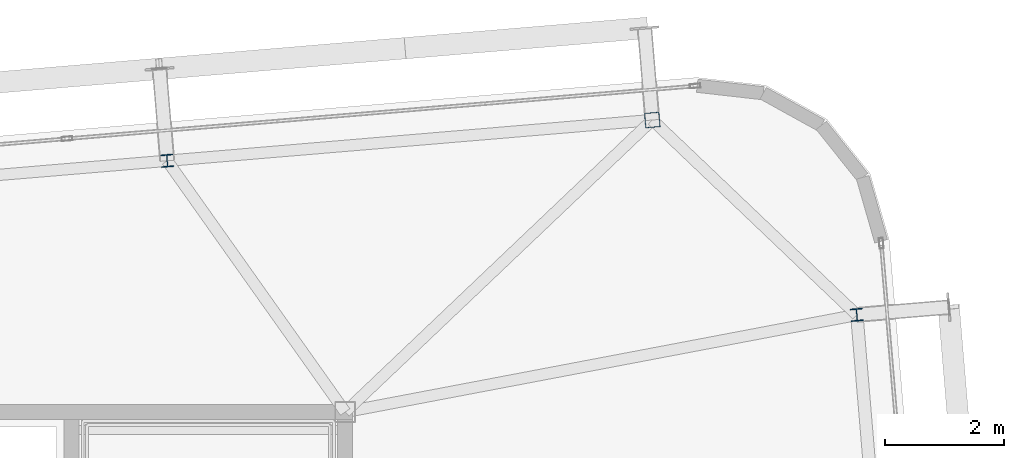
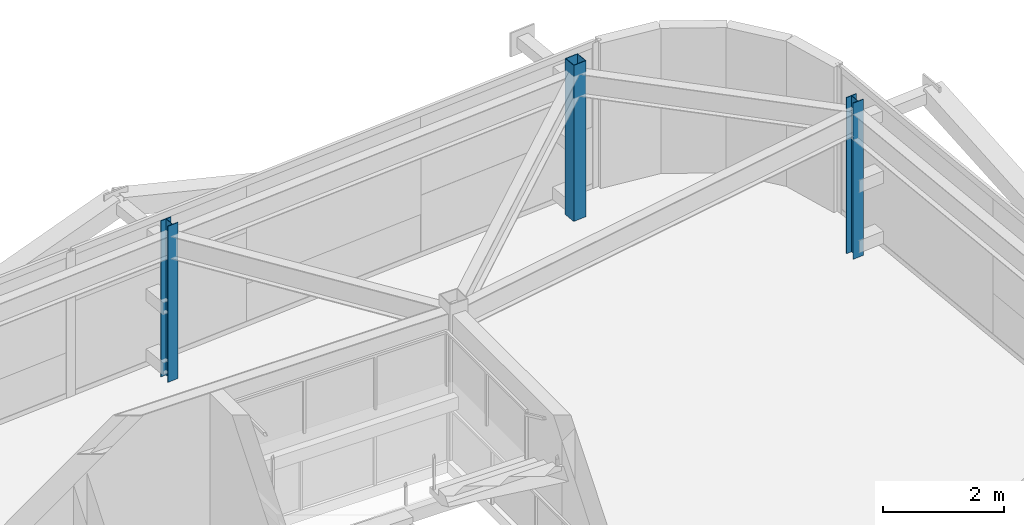
# One storey, part 6 of 37: 3 columns.
"""IFC4 building model written with IfcOpenShell, lengths in metres."""

from ifc_helpers import new_model, si_unit, direction, frame, origin, origin_2d, place, context, subcontext, project, spatial, hollow_rectangle, i_section, extrude, source, transform, mapped, material, material_profile, profile_set, type_object, element, save


model = new_model("IFC4")

# Units and contexts
model_context = context("Model", 3, precision=1e-05, world=origin(), true_north=direction((0.0, 1.0)))
body_context = subcontext(model_context, "Body", "Model", "MODEL_VIEW")
ifc_project = project(units=[si_unit("LENGTHUNIT", "METRE"), si_unit("AREAUNIT", "SQUARE_METRE"), si_unit("VOLUMEUNIT", "CUBIC_METRE"), si_unit("PLANEANGLEUNIT", "RADIAN"), si_unit("MASSUNIT", "GRAM", prefix="KILO")], contexts=[model_context])

# Site, building, storey
site_placement = place(None, origin())
site = spatial("IfcSite", under=ifc_project, at=site_placement, CompositionType="ELEMENT")
building_placement = place(site_placement, origin())
building = spatial("IfcBuilding", under=site, at=building_placement, Name="Taldren Reach Tower", CompositionType="ELEMENT")
storey_placement = place(building_placement, frame((0.0, 0.0, 182.0)))
storey = spatial("IfcBuildingStorey", under=building, at=storey_placement, Name="L55", CompositionType="ELEMENT", Elevation=182.0)

# Columns
ifc_material_1 = material(Name="Steel Gr 350 (C350L0)", Category="steel")
ifc_material_profile_1 = material_profile(ifc_material_1, hollow_rectangle(XDim=0.25, YDim=0.25, WallThickness=0.010009765625, at=origin_2d()), Name="250x250x10.0SHS")
ifc_profile_set_1 = profile_set([ifc_material_profile_1], Name="Steel Gr 350 (C350L0)")
column_type_1 = type_object("IfcColumnType", Name="COL-SHS250", PredefinedType="COLUMN", material=ifc_profile_set_1)
shared_shape_1 = source(origin(), body_context, "Body", "SweptSolid", [
    extrude(hollow_rectangle(XDim=0.25, YDim=0.25, WallThickness=0.010009765625, at=origin_2d()), origin(), (0.0, 0.0, 1.0), 3.14990234375),
])
column_placement = place(storey_placement, frame((56.160400390625, 36.906005859375, 0.0), z_axis=(0.0, 0.0, 1.0), x_axis=(0.99649285925, 0.083677843332, 0.0)))
element("IfcColumn", 1, at=column_placement, inside=storey, type_object=column_type_1, Name="Block B4 perimeter column N6 L55", PredefinedType="COLUMN", context=body_context, shape_type="MappedRepresentation", body=[
    mapped(shared_shape_1, transform((0.0, 0.0, 0.0), scale=1.0)),
])
ifc_material_2 = material(Name="Steel Gr 350 (350PLUS)", Category="steel")
ifc_material_profile_2 = material_profile(ifc_material_2, i_section(OverallWidth=0.205078125, OverallDepth=0.2099609375, WebThickness=0.00927734375, FlangeThickness=0.01416015625, at=origin_2d()), Name="200UC59.5")
ifc_profile_set_2 = profile_set([ifc_material_profile_2], Name="Steel Gr 350 (350PLUS)")
column_type_2 = type_object("IfcColumnType", Name="COL-UC200", PredefinedType="COLUMN", material=ifc_profile_set_2)
shared_shape_2 = source(origin(), body_context, "Body", "SweptSolid", [
    extrude(i_section(OverallWidth=0.205078125, OverallDepth=0.2099609375, WebThickness=0.00927734375, FlangeThickness=0.01416015625, at=origin_2d()), origin(), (0.0, 0.0, 1.0), 3.14990234375),
])
for number, where, z_axis, x_axis, name in (
    (2, (48.009033203125, 36.221435546875, 0.0), (0.0, 0.0, 1.0), (0.99649285925, 0.083677843332, 0.0), "Block B4 perimeter column N5 L55"),
    (3, (59.596435546875, 33.632080078125, 0.0), (0.0, 0.0, 1.0), (0.99649285925, 0.083677843332, 0.0), "Block B4 perimeter column E3 L55"),
):
    element("IfcColumn", number, at=place(storey_placement, frame(where, z_axis=z_axis, x_axis=x_axis)), inside=storey, type_object=column_type_2, Name=name, PredefinedType="COLUMN", context=body_context, shape_type="MappedRepresentation", body=[
        mapped(shared_shape_2, transform((0.0, 0.0, 0.0), scale=1.0)),
    ])

save(model, "model.ifc")
